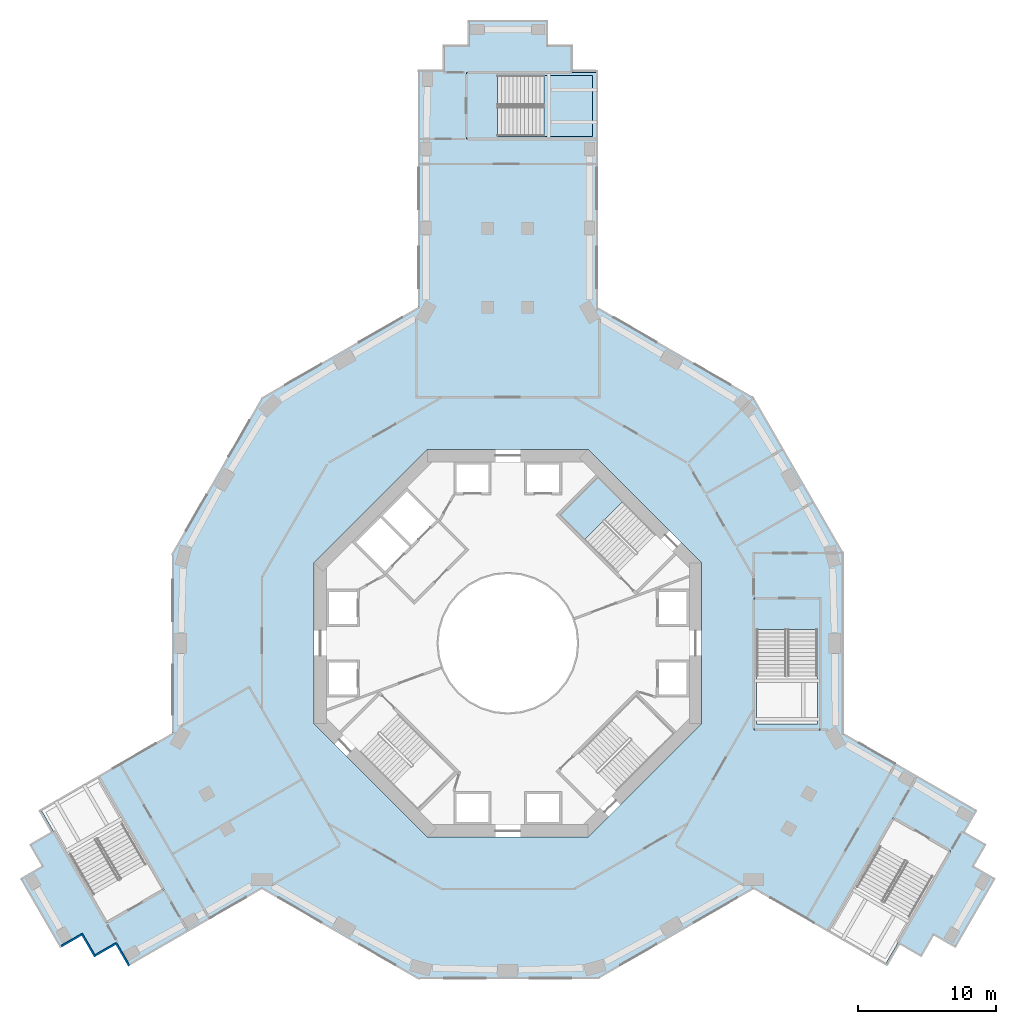
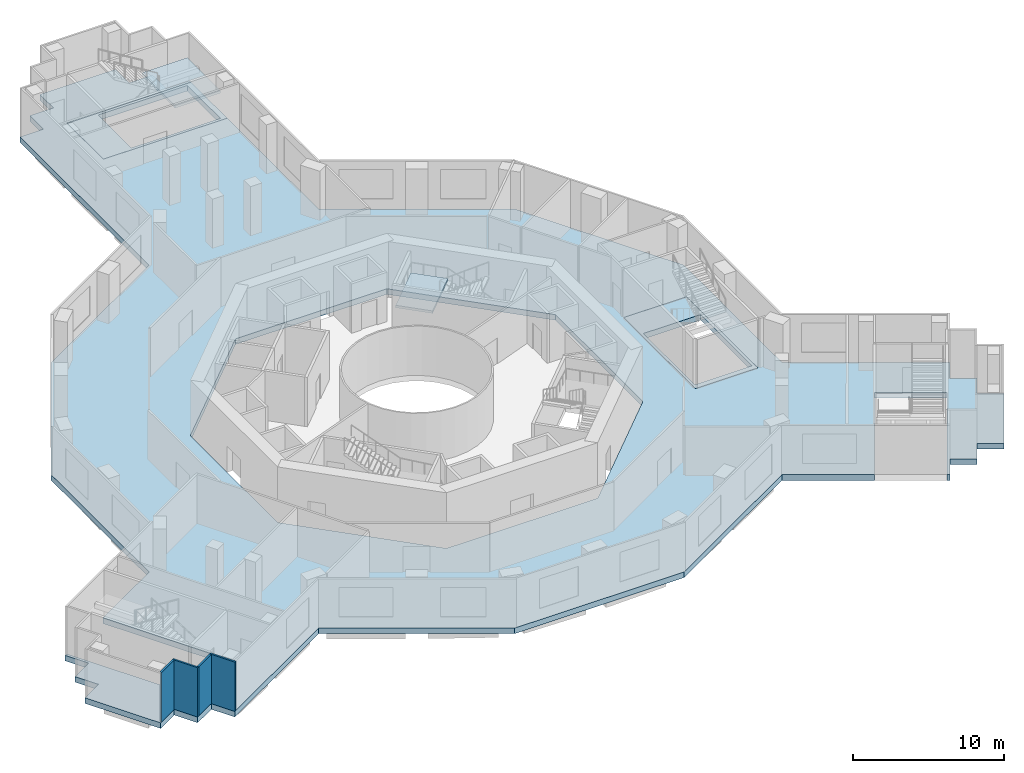
# One storey, part 2 of 20: 5 slabs, 4 walls, 2 elements without a shape of their own.
"""IFC4 building model written with IfcOpenShell, lengths in metres."""

from ifc_helpers import new_model, si_unit, direction, frame, frame_2d, origin, place, context, subcontext, project, spatial, polyline, rectangle, outline, extrude, material, layer, layer_set, type_object, element, aggregate, save


model = new_model("IFC4")

# Units and contexts
model_context = context("Model", 3, precision=1e-05, world=origin(), true_north=direction((0.0, 1.0)))
body_context = subcontext(model_context, "Body", "Model", "MODEL_VIEW")
ifc_project = project(units=[si_unit("LENGTHUNIT", "METRE"), si_unit("AREAUNIT", "SQUARE_METRE"), si_unit("VOLUMEUNIT", "CUBIC_METRE"), si_unit("PLANEANGLEUNIT", "RADIAN"), si_unit("MASSUNIT", "GRAM", prefix="KILO")], contexts=[model_context])

# Site, building, storey
site_placement = place(None, origin())
site = spatial("IfcSite", under=ifc_project, at=site_placement, CompositionType="ELEMENT")
building_placement = place(site_placement, origin())
building = spatial("IfcBuilding", under=site, at=building_placement, Name="Verdalira Terraces Hotel", CompositionType="ELEMENT")
storey_placement = place(building_placement, frame((0.0, 0.0, 23.5)))
storey = spatial("IfcBuildingStorey", under=building, at=storey_placement, Name="L04", CompositionType="ELEMENT", Elevation=23.5)

# Stair, slab
ifc_material_1 = material(Name="Concrete C40", Category="concrete")
stair_type_1 = type_object("IfcStairType", Name="Core stair 26 risers 1900 mm wide", PredefinedType="HALF_TURN_STAIR", material=ifc_material_1)
stair_1_placement = place(storey_placement, origin())
stair_1 = element("IfcStair", 1, at=stair_1_placement, inside=storey, type_object=stair_type_1, Name="L04 Exit stair ST1", PredefinedType="HALF_TURN_STAIR")
ifc_material_2 = material(Name="Concrete C40", Category="concrete")
ifc_layer_1 = layer(ifc_material_2, 0.199951171875)
ifc_layer_set_1 = layer_set([ifc_layer_1], Name="Core stair landing 200 mm")
slab_type_1 = type_object("IfcSlabType", Name="Core stair landing 200 mm", PredefinedType="LANDING", material=ifc_layer_set_1)
slab_1_placement = place(storey_placement, frame((0.0, 0.0, 2.050049)))
slab_1 = element("IfcSlab", 2, at=slab_1_placement, type_object=slab_type_1, Name="ST1 landing 1", PredefinedType="LANDING", context=body_context, shape_type="SweptSolid", body=[
    extrude(outline(polyline([(8.301758, 10.224365), (6.505371, 12.020752), (3.747559, 9.263184), (5.544189, 7.466797), (8.301758, 10.224365)])), origin(), (0.0, 0.0, 1.0), 0.199951),
])
aggregate(stair_1, [slab_1])

# Slab
ifc_material_3 = material(Name="Concrete C40", Category="concrete")
ifc_layer_2 = layer(ifc_material_3, 0.449951171875)
ifc_layer_set_2 = layer_set([ifc_layer_2], Name="Floor slab 450 C40")
slab_type_2 = type_object("IfcSlabType", Name="Floor slab 450 C40", PredefinedType="FLOOR", material=ifc_layer_set_2)
slab_2_placement = place(storey_placement, frame((0.0, 0.0, -0.449951)))
element("IfcSlab", 3, at=slab_2_placement, inside=storey, type_object=slab_type_2, Name="Floor slab L04", PredefinedType="FLOOR", context=body_context, shape_type="SweptSolid", body=[
    extrude(outline(polyline([(33.007324, -13.629639), (33.907227, -12.070801), (24.258301, -6.5), (24.258301, 6.5), (17.758301, 17.758301), (6.5, 24.258301), (6.5, 36.399414), (-3.000488, 36.399414), (-3.000488, 41.200439), (6.5, 41.200439), (6.5, 41.399902), (4.699951, 41.399902), (4.699951, 43.199951), (2.899902, 43.199951), (2.899902, 45.0), (-2.899902, 45.0), (-2.899902, 43.199951), (-4.699951, 43.199951), (-4.699951, 41.399902), (-6.5, 41.399902), (-6.5, 24.258301), (-17.758301, 17.758301), (-24.258301, 6.5), (-24.258301, -6.5), (-29.57666, -9.570557), (-24.826416, -17.79834), (-28.984375, -20.19873), (-33.734619, -11.971191), (-33.907227, -12.070801), (-33.007324, -13.629639), (-34.566162, -14.529785), (-33.666016, -16.088379), (-35.225098, -16.988525), (-32.324951, -22.011475), (-30.766113, -21.111572), (-29.866211, -22.67041), (-28.307373, -21.770264), (-27.407227, -23.329102), (-17.758301, -17.758301), (-6.5, -24.258301), (6.5, -24.258301), (17.758301, -17.758301), (23.07666, -20.828857), (27.826904, -12.601318), (31.984863, -15.001709), (27.234619, -23.229492), (27.407227, -23.329102), (28.307373, -21.770264), (29.866211, -22.67041), (30.766113, -21.111572), (32.324951, -22.011475), (35.225098, -16.988525), (33.666016, -16.088379), (34.566162, -14.529785), (33.007324, -13.629639)]), holes=[polyline([(-5.799072, -14.0), (-14.0, -5.799072), (-14.0, 5.799072), (-5.799072, 14.0), (5.799072, 14.0), (14.0, 5.799072), (14.0, -5.799072), (5.799072, -14.0), (-5.799072, -14.0)]), polyline([(22.558838, -6.250488), (17.757812, -6.250488), (17.757812, 3.250488), (22.558838, 3.250488), (22.558838, -6.250488)])]), origin(), (0.0, 0.0, 1.0), 0.449951),
])

# Stair, slab
ifc_material_4 = material(Name="Concrete C40", Category="concrete")
stair_type_2 = type_object("IfcStairType", Name="Podium stair 26 risers", PredefinedType="HALF_TURN_STAIR", material=ifc_material_4)
stair_2_placement = place(storey_placement, origin())
stair_2 = element("IfcStair", 4, at=stair_2_placement, inside=storey, type_object=stair_type_2, Name="L04 Exit stair PS1", PredefinedType="HALF_TURN_STAIR")
ifc_material_5 = material(Name="Concrete C40", Category="concrete")
ifc_layer_3 = layer(ifc_material_5, 0.199951171875)
ifc_layer_set_3 = layer_set([ifc_layer_3], Name="Podium stair landing 200 mm")
slab_type_3 = type_object("IfcSlabType", Name="Podium stair landing 200 mm", PredefinedType="LANDING", material=ifc_layer_set_3)
slab_3_placement = place(storey_placement, frame((0.0, 0.0, 2.050049)))
slab_3 = element("IfcSlab", 5, at=slab_3_placement, type_object=slab_type_3, Name="PS1 landing 1", PredefinedType="LANDING", context=body_context, shape_type="SweptSolid", body=[
    extrude(outline(polyline([(6.101562, 41.001465), (2.60791, 41.001465), (2.60791, 36.598389), (6.101562, 36.598389), (6.101562, 41.001465)])), origin(), (0.0, 0.0, 1.0), 0.199951),
])
aggregate(stair_2, [slab_3])

# Slabs
ifc_material_6 = material(Name="Concrete C40", Category="concrete")
ifc_layer_4 = layer(ifc_material_6, 0.449951171875)
ifc_layer_set_4 = layer_set([ifc_layer_4], Name="Stair enclosure floor slab 450 mm")
slab_type_4 = type_object("IfcSlabType", Name="Stair enclosure floor slab 450 mm", PredefinedType="FLOOR", material=ifc_layer_set_4)
slab_4_placement = place(storey_placement, frame((0.0, 0.0, -0.449951)))
element("IfcSlab", 6, at=slab_4_placement, inside=storey, type_object=slab_type_4, Name="Stair PS1 floor slab", PredefinedType="FLOOR", context=body_context, shape_type="SweptSolid", body=[
    extrude(outline(polyline([(-2.999512, 36.400391), (-2.999512, 41.199463), (6.5, 41.199463), (6.5, 36.400391), (-2.999512, 36.400391)]), holes=[polyline([(-0.746094, 40.996094), (-0.746094, 36.604004), (6.095947, 36.604004), (6.095947, 40.996094), (-0.746094, 40.996094)])]), origin(), (0.0, 0.0, 1.0), 0.449951),
])
slab_5_placement = place(storey_placement, frame((0.0, 0.0, -0.449951)))
element("IfcSlab", 7, at=slab_5_placement, inside=storey, type_object=slab_type_4, Name="Stair PS4 floor slab", PredefinedType="FLOOR", context=body_context, shape_type="SweptSolid", body=[
    extrude(outline(polyline([(17.758789, 3.249512), (22.557861, 3.249512), (22.557861, -6.249512), (17.758789, -6.249512), (17.758789, 3.249512)]), holes=[polyline([(22.354248, 0.996094), (17.962402, 0.996094), (17.962402, -5.845947), (22.354248, -5.845947), (22.354248, 0.996094)])]), origin(), (0.0, 0.0, 1.0), 0.449951),
])

# Walls
ifc_material_7 = material(Name="Terracotta cladding on steel stud backup", Category="masonry")
ifc_layer_5 = layer(ifc_material_7, 0.139892578125)
ifc_layer_set_5 = layer_set([ifc_layer_5], Name="Terracotta clad wall 140 mm")
wall_type = type_object("IfcWallType", Name="Terracotta clad wall 140 mm", PredefinedType="SOLIDWALL", material=ifc_layer_set_5)
wall_1_placement = place(storey_placement, frame((-32.23877, -21.880859, 0.0), z_axis=(0.0, 0.0, 1.0), x_axis=(0.866026406, 0.499998264, 0.0)))
element("IfcWall", 8, at=wall_1_placement, inside=storey, type_object=wall_type, Name="Podium facade wall", PredefinedType="SOLIDWALL", context=body_context, shape_type="SweptSolid", body=[
    extrude(rectangle(XDim=1.660156, YDim=0.139893, at=frame_2d((0.830078, 0.0))), origin(), (0.0, 0.0, 1.0), 4.0),
])
wall_2_placement = place(storey_placement, frame((-30.775391, -20.955078, 0.0), z_axis=(0.0, 0.0, 1.0), x_axis=(0.499969368, -0.866043088, 0.0)))
element("IfcWall", 9, at=wall_2_placement, inside=storey, type_object=wall_type, Name="Podium facade wall", PredefinedType="SOLIDWALL", context=body_context, shape_type="SweptSolid", body=[
    extrude(rectangle(XDim=1.939941, YDim=0.139893, at=frame_2d((0.969971, 0.0))), origin(), (0.0, 0.0, 1.0), 4.0),
])
wall_3_placement = place(storey_placement, frame((-29.779785, -22.539795, 0.0), z_axis=(0.0, 0.0, 1.0), x_axis=(0.865989634, 0.500061949, 0.0)))
element("IfcWall", 10, at=wall_3_placement, inside=storey, type_object=wall_type, Name="Podium facade wall", PredefinedType="SOLIDWALL", context=body_context, shape_type="SweptSolid", body=[
    extrude(rectangle(XDim=1.659912, YDim=0.139893, at=frame_2d((0.830078, 0.0))), origin(), (0.0, 0.0, 1.0), 4.0),
])
wall_4_placement = place(storey_placement, frame((-28.31665, -21.614014, 0.0), z_axis=(0.0, 0.0, 1.0), x_axis=(0.499969368, -0.866043088, 0.0)))
element("IfcWall", 11, at=wall_4_placement, inside=storey, type_object=wall_type, Name="Podium facade wall", PredefinedType="SOLIDWALL", context=body_context, shape_type="SweptSolid", body=[
    extrude(rectangle(XDim=1.939941, YDim=0.139893, at=frame_2d((0.969971, 0.0))), origin(), (0.0, 0.0, 1.0), 4.0),
])

save(model, "model.ifc")
